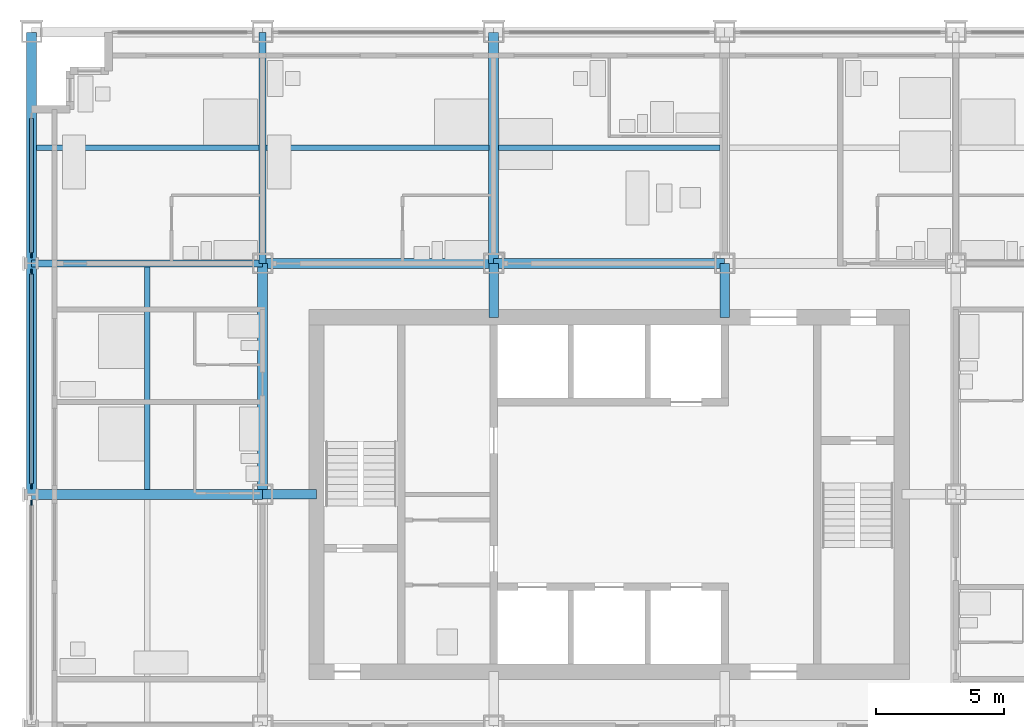
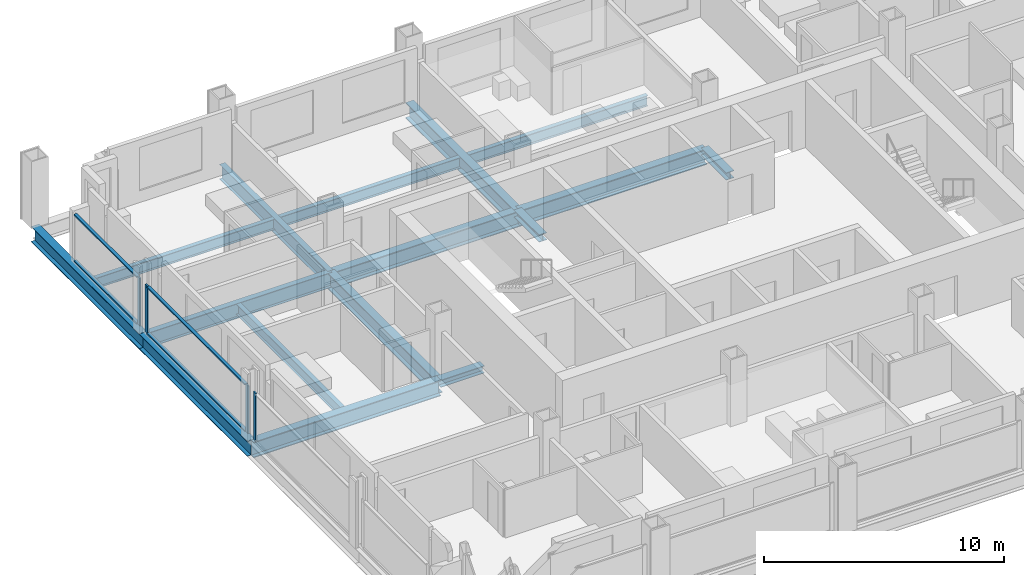
# One storey, part 4 of 16: 13 beams, 11 members, 3 elements without a shape of their own.
"""IFC4 building model written with IfcOpenShell, lengths in metres."""

from ifc_helpers import new_model, si_unit, direction, frame, origin, origin_2d, place, context, subcontext, project, spatial, rectangle, i_section, extrude, material, material_profile, profile_set, type_object, element, aggregate, save


model = new_model("IFC4")

# Units and contexts
model_context = context("Model", 3, precision=1e-05, world=origin(), true_north=direction((0.0, 1.0)))
body_context = subcontext(model_context, "Body", "Model", "MODEL_VIEW")
ifc_project = project(units=[si_unit("LENGTHUNIT", "METRE"), si_unit("AREAUNIT", "SQUARE_METRE"), si_unit("VOLUMEUNIT", "CUBIC_METRE"), si_unit("PLANEANGLEUNIT", "RADIAN"), si_unit("MASSUNIT", "GRAM", prefix="KILO")], contexts=[model_context])

# Site, building, storey
site_placement = place(None, origin())
site = spatial("IfcSite", under=ifc_project, at=site_placement, CompositionType="ELEMENT")
building_placement = place(site_placement, origin())
building = spatial("IfcBuilding", under=site, at=building_placement, Name="Loomwork Tower", CompositionType="ELEMENT")
storey_placement = place(building_placement, frame((0.0, 0.0, 124.800048828125)))
storey = spatial("IfcBuildingStorey", under=building, at=storey_placement, Name="L33", CompositionType="ELEMENT", Elevation=124.800048828125)

# Beams
ifc_material_1 = material(Name="Steel ASTM A992", Category="steel")
ifc_material_profile_1 = material_profile(ifc_material_1, i_section(OverallWidth=0.383544921875, OverallDepth=0.794921875, WebThickness=0.02099609375, FlangeThickness=0.0380859375, at=origin_2d()), Name="W30x235")
ifc_profile_set_1 = profile_set([ifc_material_profile_1], Name="Steel ASTM A992")
beam_type_1 = type_object("IfcBeamType", Name="CORE FLANK GIRDER W30x235", PredefinedType="BEAM", material=ifc_profile_set_1)
for number, where, z_axis, x_axis, name in (
    (1, (0.0, 18.0, -0.59765625), (1.0, 0.0, 0.0), (0.0, 1.0, 0.0), "Core Flank Girder F/2-F/3 L33"),
    (2, (9.0, 27.0, -0.59765625), (1.0, 0.0, 0.0), (0.0, 1.0, 0.0), "Core Flank Girder G/3-G/4 L33"),
    (3, (18.0, 27.0, -0.59765625), (1.0, 0.0, 0.0), (0.0, 1.0, 0.0), "Core Flank Girder G/4-G/5 L33"),
    (4, (9.0, 18.0, -0.59765625), (0.0, 1.0, 0.0), (-1.0, 0.0, 0.0), "Core Flank Girder F/3-G/3 L33"),
    (5, (18.0, 27.0, -0.59765625), (0.0, 1.0, 0.0), (-1.0, 0.0, 0.0), "Core Flank Girder G/4-H/4 L33"),
):
    element("IfcBeam", number, at=place(storey_placement, frame(where, z_axis=z_axis, x_axis=x_axis)), inside=storey, type_object=beam_type_1, Name=name, PredefinedType="BEAM", context=body_context, shape_type="SweptSolid", body=[
        extrude(i_section(OverallWidth=0.383544921875, OverallDepth=0.794921875, WebThickness=0.02099609375, FlangeThickness=0.0380859375, at=origin_2d()), origin(), (0.0, 0.0, 1.0), 9.0),
    ])

# Members
ifc_material_2 = material(Name="Steel ASTM A992", Category="steel")
ifc_material_profile_2 = material_profile(ifc_material_2, i_section(OverallWidth=0.373291015625, OverallDepth=0.373291015625, WebThickness=0.016357421875, FlangeThickness=0.026123046875, at=origin_2d()), Name="W14x132")
ifc_profile_set_2 = profile_set([ifc_material_profile_2], Name="Steel ASTM A992")
member_type_1 = type_object("IfcMemberType", Name="CORE LINK STRUT W14x132", PredefinedType="STRUT", material=ifc_profile_set_2)
for number, where, z_axis, x_axis, name in (
    (6, (27.0, 27.0, -0.38671875), (0.0, -1.0, 0.0), (1.0, 0.0, 0.0), "Core link strut G/5-27.000,24.900 L33"),
    (7, (18.0, 27.0, -0.38671875), (0.0, -1.0, 0.0), (1.0, 0.0, 0.0), "Core link strut G/4-18.000,24.900 L33"),
    (8, (9.0, 18.0, -0.38671875), (1.0, 0.0, 0.0), (0.0, 1.0, 0.0), "Core link strut F/3-11.100,18.000 L33"),
):
    element("IfcMember", number, at=place(storey_placement, frame(where, z_axis=z_axis, x_axis=x_axis)), inside=storey, type_object=member_type_1, Name=name, PredefinedType="STRUT", context=body_context, shape_type="SweptSolid", body=[
        extrude(i_section(OverallWidth=0.373291015625, OverallDepth=0.373291015625, WebThickness=0.016357421875, FlangeThickness=0.026123046875, at=origin_2d()), origin(), (0.0, 0.0, 1.0), 2.10009765625),
    ])

# Beams
ifc_material_3 = material(Name="Steel ASTM A992", Category="steel")
ifc_material_profile_3 = material_profile(ifc_material_3, i_section(OverallWidth=0.2666015625, OverallDepth=0.761962890625, WebThickness=0.014404296875, FlangeThickness=0.021484375, at=origin_2d()), Name="W30x116")
ifc_profile_set_3 = profile_set([ifc_material_profile_3], Name="Steel ASTM A992")
beam_type_2 = type_object("IfcBeamType", Name="FLOOR GIRDER W30x116", PredefinedType="BEAM", material=ifc_profile_set_3)
for number, where, z_axis, x_axis, name in (
    (9, (0.0, 27.0, -0.5810546875), (1.0, 0.0, 0.0), (0.0, 1.0, 0.0), "Floor Girder G/2-G/3 L33"),
    (10, (9.0, 27.0, -0.5810546875), (0.0, 1.0, 0.0), (-1.0, 0.0, 0.0), "Floor Girder G/3-H/3 L33"),
):
    element("IfcBeam", number, at=place(storey_placement, frame(where, z_axis=z_axis, x_axis=x_axis)), inside=storey, type_object=beam_type_2, Name=name, PredefinedType="BEAM", context=body_context, shape_type="SweptSolid", body=[
        extrude(i_section(OverallWidth=0.2666015625, OverallDepth=0.761962890625, WebThickness=0.014404296875, FlangeThickness=0.021484375, at=origin_2d()), origin(), (0.0, 0.0, 1.0), 9.0),
    ])
ifc_material_4 = material(Name="Steel ASTM A992", Category="steel")
ifc_material_profile_4 = material_profile(ifc_material_4, i_section(OverallWidth=0.2109375, OverallDepth=0.53857421875, WebThickness=0.011474609375, FlangeThickness=0.018798828125, at=origin_2d()), Name="W21x73")
ifc_profile_set_4 = profile_set([ifc_material_profile_4], Name="Steel ASTM A992")
beam_type_3 = type_object("IfcBeamType", Name="FLOOR JOIST W21x73", PredefinedType="JOIST", material=ifc_profile_set_4)
beam_1_placement = place(storey_placement, frame((4.5, 18.19091796875, -0.46923828125), z_axis=(0.0, 1.0, 0.0), x_axis=(-1.0, 0.0, 0.0)))
element("IfcBeam", 11, at=beam_1_placement, inside=storey, type_object=beam_type_3, Name="Floor Joist 4.500,18.000-4.500,27.000 L33", PredefinedType="JOIST", context=body_context, shape_type="SweptSolid", body=[
    extrude(i_section(OverallWidth=0.2109375, OverallDepth=0.53857421875, WebThickness=0.011474609375, FlangeThickness=0.018798828125, at=origin_2d()), origin(), (0.0, 0.0, 1.0), 8.676025390625),
])
beam_2_placement = place(storey_placement, frame((0.18994140625, 31.5, -0.46923828125), z_axis=(1.0, 0.0, 0.0), x_axis=(0.0, 1.0, 0.0)))
element("IfcBeam", 12, at=beam_2_placement, inside=storey, type_object=beam_type_3, Name="Floor Joist 0.000,31.500-9.000,31.500 L33", PredefinedType="JOIST", context=body_context, shape_type="SweptSolid", body=[
    extrude(i_section(OverallWidth=0.2109375, OverallDepth=0.53857421875, WebThickness=0.011474609375, FlangeThickness=0.018798828125, at=origin_2d()), origin(), (0.0, 0.0, 1.0), 8.677001953125),
])
beam_3_placement = place(storey_placement, frame((9.133056640625, 31.5, -0.46923828125), z_axis=(1.0, 0.0, 0.0), x_axis=(0.0, 1.0, 0.0)))
element("IfcBeam", 13, at=beam_3_placement, inside=storey, type_object=beam_type_3, Name="Floor Joist 9.000,31.500-18.000,31.500 L33", PredefinedType="JOIST", context=body_context, shape_type="SweptSolid", body=[
    extrude(i_section(OverallWidth=0.2109375, OverallDepth=0.53857421875, WebThickness=0.011474609375, FlangeThickness=0.018798828125, at=origin_2d()), origin(), (0.0, 0.0, 1.0), 8.676025390625),
])
beam_4_placement = place(storey_placement, frame((18.19091796875, 31.5, -0.46923828125), z_axis=(1.0, 0.0, 0.0), x_axis=(0.0, 1.0, 0.0)))
element("IfcBeam", 14, at=beam_4_placement, inside=storey, type_object=beam_type_3, Name="Floor Joist 18.000,31.500-27.000,31.500 L33", PredefinedType="JOIST", context=body_context, shape_type="SweptSolid", body=[
    extrude(i_section(OverallWidth=0.2109375, OverallDepth=0.53857421875, WebThickness=0.011474609375, FlangeThickness=0.018798828125, at=origin_2d()), origin(), (0.0, 0.0, 1.0), 8.6181640625),
])

# Curtain wall, member
ifc_material_5 = material(Name="Aluminium curtain wall frame", Category="aluminium")
curtain_wall_type = type_object("IfcCurtainWallType", Name="Outer skin glazing hotel", PredefinedType="NOTDEFINED", material=ifc_material_5)
curtain_wall_1_placement = place(storey_placement, origin())
curtain_wall_1 = element("IfcCurtainWall", 15, at=curtain_wall_1_placement, inside=storey, type_object=curtain_wall_type, Name="Outer skin glazing hotel cw/W-9", PredefinedType="NOTDEFINED")
ifc_material_6 = material(Name="Aluminium curtain wall frame", Category="aluminium")
ifc_material_profile_5 = material_profile(ifc_material_6, rectangle(XDim=0.06494140625, YDim=0.199951171875, at=origin_2d()), Name="AL 65x200")
ifc_profile_set_5 = profile_set([ifc_material_profile_5], Name="Aluminium curtain wall frame")
member_type_2 = type_object("IfcMemberType", Name="Outer skin glazing hotel mullion", PredefinedType="MULLION", material=ifc_profile_set_5)
member_1_placement = place(storey_placement, frame((0.0, 17.678955078125, 0.0), z_axis=(0.0, 0.0, 1.0), x_axis=(1.0, 0.0, 0.0)))
member_1 = element("IfcMember", 16, at=member_1_placement, type_object=member_type_2, Name="CW1 mullion 1", PredefinedType="MULLION", context=body_context, shape_type="SweptSolid", body=[
    extrude(rectangle(XDim=0.06494140625, YDim=0.199951171875, at=origin_2d()), origin(), (0.0, 0.0, 1.0), 2.420166015625),
])
aggregate(curtain_wall_1, [member_1])

# Curtain wall, members
curtain_wall_2_placement = place(storey_placement, origin())
curtain_wall_2 = element("IfcCurtainWall", 17, at=curtain_wall_2_placement, inside=storey, type_object=curtain_wall_type, Name="Outer skin glazing hotel cw/W-18", PredefinedType="NOTDEFINED")
member_2_placement = place(storey_placement, frame((0.0, 26.678955078125, 0.0), z_axis=(0.0, 0.0, 1.0), x_axis=(1.0, 0.0, 0.0)))
member_2 = element("IfcMember", 18, at=member_2_placement, type_object=member_type_2, Name="CW1 mullion 1", PredefinedType="MULLION", context=body_context, shape_type="SweptSolid", body=[
    extrude(rectangle(XDim=0.06494140625, YDim=0.199951171875, at=origin_2d()), origin(), (0.0, 0.0, 1.0), 2.420166015625),
])
member_3_placement = place(storey_placement, frame((0.0, 18.321044921875, 0.0), z_axis=(0.0, 0.0, 1.0), x_axis=(1.0, 0.0, 0.0)))
member_3 = element("IfcMember", 19, at=member_3_placement, type_object=member_type_2, Name="CW1 mullion 2", PredefinedType="MULLION", context=body_context, shape_type="SweptSolid", body=[
    extrude(rectangle(XDim=0.06494140625, YDim=0.199951171875, at=origin_2d()), origin(), (0.0, 0.0, 1.0), 2.420166015625),
])

# Curtain wall, member
curtain_wall_3_placement = place(storey_placement, origin())
curtain_wall_3 = element("IfcCurtainWall", 20, at=curtain_wall_3_placement, inside=storey, type_object=curtain_wall_type, Name="Outer skin glazing hotel cw/W-27", PredefinedType="NOTDEFINED")
member_4_placement = place(storey_placement, frame((0.0, 27.321044921875, 0.0), z_axis=(0.0, 0.0, 1.0), x_axis=(1.0, 0.0, 0.0)))
member_4 = element("IfcMember", 21, at=member_4_placement, type_object=member_type_2, Name="CW1 mullion 2", PredefinedType="MULLION", context=body_context, shape_type="SweptSolid", body=[
    extrude(rectangle(XDim=0.06494140625, YDim=0.199951171875, at=origin_2d()), origin(), (0.0, 0.0, 1.0), 2.420166015625),
])

# Member
ifc_material_7 = material(Name="Aluminium curtain wall frame", Category="aluminium")
ifc_material_profile_6 = material_profile(ifc_material_7, rectangle(XDim=0.14990234375, YDim=0.06494140625, at=origin_2d()), Name="AL 65x150")
ifc_profile_set_6 = profile_set([ifc_material_profile_6], Name="Aluminium curtain wall frame")
member_type_3 = type_object("IfcMemberType", Name="Outer skin glazing hotel transom", PredefinedType="USERDEFINED", material=ifc_profile_set_6)
member_5_placement = place(storey_placement, frame((0.0, 26.5791015625, 0.032470703125), z_axis=(0.0, -1.0, 0.0), x_axis=(1.0, 0.0, 0.0)))
member_5 = element("IfcMember", 22, at=member_5_placement, type_object=member_type_3, Name="CW1 transom 1.1", ObjectType="TRANSOM", PredefinedType="USERDEFINED", context=body_context, shape_type="SweptSolid", body=[
    extrude(rectangle(XDim=0.14990234375, YDim=0.06494140625, at=origin_2d()), origin(), (0.0, 0.0, 1.0), 8.158203125),
])

member_6_placement = place(storey_placement, frame((0.0, 26.5791015625, 2.3876953125), z_axis=(0.0, -1.0, 0.0), x_axis=(1.0, 0.0, 0.0)))
member_6 = element("IfcMember", 23, at=member_6_placement, type_object=member_type_3, Name="CW1 transom 1.2", ObjectType="TRANSOM", PredefinedType="USERDEFINED", context=body_context, shape_type="SweptSolid", body=[
    extrude(rectangle(XDim=0.14990234375, YDim=0.06494140625, at=origin_2d()), origin(), (0.0, 0.0, 1.0), 8.158203125),
])

aggregate(curtain_wall_2, [member_2, member_3, member_5, member_6])

member_7_placement = place(storey_placement, frame((0.0, 32.64990234375, 0.032470703125), z_axis=(0.0, -1.0, 0.0), x_axis=(1.0, 0.0, 0.0)))
member_7 = element("IfcMember", 24, at=member_7_placement, type_object=member_type_3, Name="CW1 transom 1.1", ObjectType="TRANSOM", PredefinedType="USERDEFINED", context=body_context, shape_type="SweptSolid", body=[
    extrude(rectangle(XDim=0.14990234375, YDim=0.06494140625, at=origin_2d()), origin(), (0.0, 0.0, 1.0), 5.22900390625),
])

member_8_placement = place(storey_placement, frame((0.0, 32.64990234375, 2.3876953125), z_axis=(0.0, -1.0, 0.0), x_axis=(1.0, 0.0, 0.0)))
member_8 = element("IfcMember", 25, at=member_8_placement, type_object=member_type_3, Name="CW1 transom 1.2", ObjectType="TRANSOM", PredefinedType="USERDEFINED", context=body_context, shape_type="SweptSolid", body=[
    extrude(rectangle(XDim=0.14990234375, YDim=0.06494140625, at=origin_2d()), origin(), (0.0, 0.0, 1.0), 5.22900390625),
])

aggregate(curtain_wall_3, [member_4, member_7, member_8])

# Beams
ifc_material_8 = material(Name="Steel ASTM A992", Category="steel")
ifc_material_profile_7 = material_profile(ifc_material_8, i_section(OverallWidth=0.381103515625, OverallDepth=0.77978515625, WebThickness=0.01806640625, FlangeThickness=0.0302734375, at=origin_2d()), Name="W30x191")
ifc_profile_set_7 = profile_set([ifc_material_profile_7], Name="Steel ASTM A992")
beam_type_4 = type_object("IfcBeamType", Name="SPANDREL GIRDER W30x191", PredefinedType="SPANDREL", material=ifc_profile_set_7)
for number, where, z_axis, x_axis, name in (
    (26, (0.0, 18.0, -0.58984375), (0.0, 1.0, 0.0), (-1.0, 0.0, 0.0), "Spandrel Girder F/2-G/2 L33"),
    (27, (0.0, 27.0, -0.58984375), (0.0, 1.0, 0.0), (-1.0, 0.0, 0.0), "Spandrel Girder G/2-H/2 L33"),
):
    element("IfcBeam", number, at=place(storey_placement, frame(where, z_axis=z_axis, x_axis=x_axis)), inside=storey, type_object=beam_type_4, Name=name, PredefinedType="SPANDREL", context=body_context, shape_type="SweptSolid", body=[
        extrude(i_section(OverallWidth=0.381103515625, OverallDepth=0.77978515625, WebThickness=0.01806640625, FlangeThickness=0.0302734375, at=origin_2d()), origin(), (0.0, 0.0, 1.0), 9.0),
    ])

save(model, "model.ifc")
